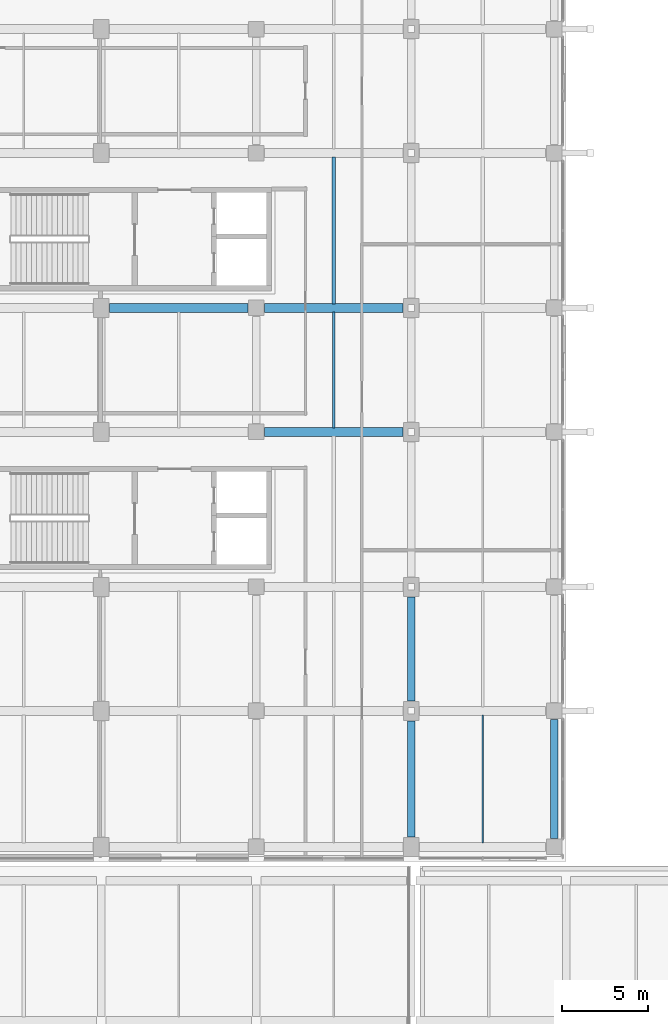
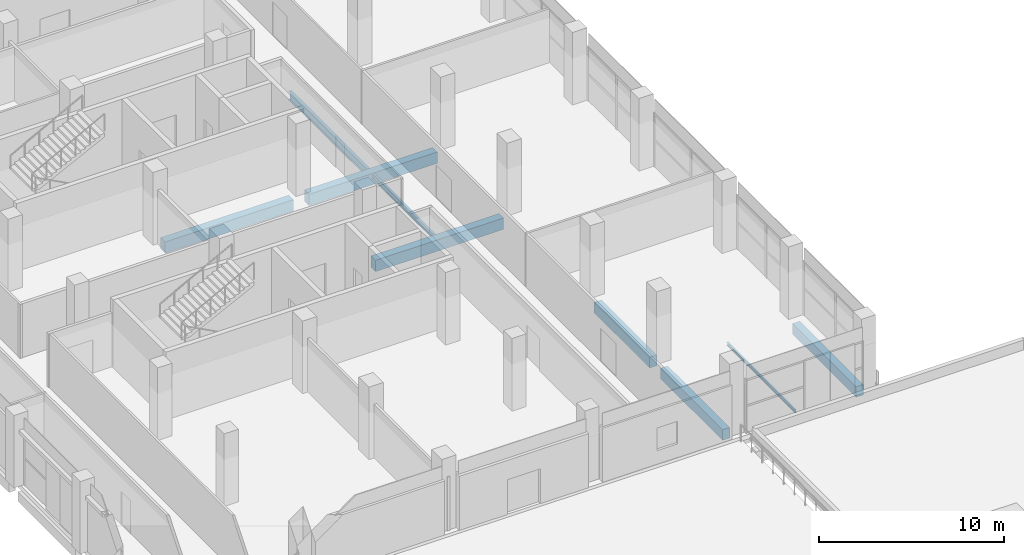
# One storey, part 10 of 82: 9 beams.
"""IFC4 building model written with IfcOpenShell, lengths in metres."""

import ifcopenshell
import ifcopenshell.guid

model = None  # the IFC model being written
_history = None  # IfcOwnerHistory: only IFC2X3 demands one
_inside = {}  # id of a spatial element -> (the spatial element, [elements in it])
_under = {}  # id of a project, library or spatial element -> (it, [spatial elements below it])
_declared = {}  # id of a project -> (the project, [libraries it declares])
_typed = {}  # id of a type object -> (the type object, [elements of that type])
_made_of = {}  # id of a material, layer set ... -> (it, [elements and type objects made of it])


def new_model(schema):
    """Start an empty IFC model of exactly this schema.

    Asked for "IFC4X3", IfcOpenShell would pick the latest addendum, in which some entities
    have other attributes; the version numbers below select the first issue.
    IFC2X3 requires an IfcOwnerHistory on every rooted entity: one is made here for all.
    """
    global model, _history
    if schema == "IFC4X3":
        model = ifcopenshell.file(schema_version=(4, 3, 0, 0))
    else:
        model = ifcopenshell.file(schema=schema)
    _inside.clear()
    _under.clear()
    _declared.clear()
    _typed.clear()
    _made_of.clear()
    _history = None
    if model.schema == "IFC2X3":
        org = make("IfcOrganization", Name="unknown")
        user = make(
            "IfcPersonAndOrganization",
            ThePerson=make("IfcPerson", FamilyName="unknown"),
            TheOrganization=org,
        )
        app = make(
            "IfcApplication",
            ApplicationDeveloper=org,
            Version="unknown",
            ApplicationFullName="unknown",
            ApplicationIdentifier="unknown",
        )
        _history = make(
            "IfcOwnerHistory",
            OwningUser=user,
            OwningApplication=app,
            ChangeAction="ADDED",
            CreationDate=0,
        )
    return model


def make(cls, **values):
    """One entity of the class cls with the attributes given. An attribute that is None is left unset."""
    return model.create_entity(
        cls, **{name: value for name, value in values.items() if value is not None}
    )


def rooted(cls, **values):
    """An entity with a GlobalId (a new one), such as an element, a storey or a relation."""
    return make(cls, GlobalId=ifcopenshell.guid.new(), OwnerHistory=_history, **values)


def si_unit(unit_type, name, prefix=None):
    """IfcSIUnit, for example si_unit("LENGTHUNIT", "METRE", prefix="MILLI")."""
    return make("IfcSIUnit", UnitType=unit_type, Prefix=prefix, Name=name)


def assignment(units):
    """IfcUnitAssignment: the units of a project."""
    return None if units is None else make("IfcUnitAssignment", Units=units)


def point(xyz):
    """IfcCartesianPoint."""
    return None if xyz is None else make("IfcCartesianPoint", Coordinates=xyz)


def direction(xyz):
    """IfcDirection."""
    return None if xyz is None else make("IfcDirection", DirectionRatios=xyz)


def frame(location, z_axis=None, x_axis=None):
    """IfcAxis2Placement3D, a coordinate frame: its origin and axes. An axis left out is left unset."""
    return make(
        "IfcAxis2Placement3D",
        Location=point(location),
        Axis=direction(z_axis),
        RefDirection=direction(x_axis),
    )


def frame_2d(location, x_axis=None):
    """IfcAxis2Placement2D, a coordinate frame in the plane: its origin and x axis."""
    return make(
        "IfcAxis2Placement2D", Location=point(location), RefDirection=direction(x_axis)
    )


def origin():
    """The frame at (0, 0, 0) with its axes left unset."""
    return frame((0.0, 0.0, 0.0))


def origin_2d():
    """The frame at (0, 0) in the plane with its x axis left unset."""
    return frame_2d((0.0, 0.0))


def place(relative_to, where):
    """IfcLocalPlacement: puts the frame where relative to a parent placement (None: the world)."""
    return make(
        "IfcLocalPlacement", PlacementRelTo=relative_to, RelativePlacement=where
    )


def context(
    kind, dimensions, precision=None, world=None, true_north=None, identifier=None
):
    """IfcGeometricRepresentationContext, for example the 3D "Model" context."""
    return make(
        "IfcGeometricRepresentationContext",
        ContextIdentifier=identifier,
        ContextType=kind,
        CoordinateSpaceDimension=dimensions,
        Precision=precision,
        WorldCoordinateSystem=world,
        TrueNorth=true_north,
    )


def subcontext(parent, identifier, kind, view, scale=None):
    """IfcGeometricRepresentationSubContext, for example "Body" below "Model"."""
    return make(
        "IfcGeometricRepresentationSubContext",
        ContextIdentifier=identifier,
        ContextType=kind,
        ParentContext=parent,
        TargetScale=scale,
        TargetView=view,
    )


def project(units=None, contexts=None):
    """IfcProject with its units and contexts."""
    return rooted(
        "IfcProject",
        Name="project",
        RepresentationContexts=contexts,
        UnitsInContext=assignment(units),
    )


def spatial(cls, under=None, at=None, **own):
    """A site, building, storey or space (cls), placed at a placement, below another one or the project."""
    s = rooted(cls, ObjectPlacement=at, **own)
    if under is not None:
        _under.setdefault(under.id(), (under, []))[1].append(s)
    return s


def profile(cls, at=None, kind="AREA", **sizes):
    """A parametric profile (cls). Its sizes go by their IFC names, for example OverallWidth=200.0."""
    return make(cls, ProfileType=kind, Position=at, **sizes)


def rectangle(**sizes):
    """IfcRectangleProfileDef."""
    return profile("IfcRectangleProfileDef", **sizes)


def i_section(**sizes):
    """IfcIShapeProfileDef."""
    return profile("IfcIShapeProfileDef", **sizes)


def extrude(swept, where, along, depth):
    """IfcExtrudedAreaSolid: the profile swept, set in the frame where, extruded along a direction by depth."""
    return make(
        "IfcExtrudedAreaSolid",
        SweptArea=swept,
        Position=where,
        ExtrudedDirection=direction(along),
        Depth=depth,
    )


def shape(context_of_items, identifier, shape_type, items):
    """IfcShapeRepresentation: the items that make up one representation, for example the "Body"."""
    return make(
        "IfcShapeRepresentation",
        ContextOfItems=context_of_items,
        RepresentationIdentifier=identifier,
        RepresentationType=shape_type,
        Items=items,
    )


def material(Name=None, Category=None):
    """IfcMaterial."""
    return make("IfcMaterial", Name=Name, Category=Category)


def material_profile(
    of_material, cross_section, Name=None, Category=None, Priority=None
):
    """IfcMaterialProfile: a cross section and its material."""
    return make(
        "IfcMaterialProfile",
        Name=Name,
        Material=of_material,
        Profile=cross_section,
        Priority=Priority,
        Category=Category,
    )


def profile_set(profiles, Name=None, composite=None):
    """IfcMaterialProfileSet."""
    return make(
        "IfcMaterialProfileSet",
        Name=Name,
        MaterialProfiles=profiles,
        CompositeProfile=composite,
    )


def made_of(thing, what):
    """Note that an element or type object is made of a material, layer set ...; save() writes the relation."""
    if what is not None:
        _made_of.setdefault(what.id(), (what, []))[1].append(thing)
    return thing


def type_object(cls, material=None, **own):
    """A type object (cls), such as IfcWallType, which elements share."""
    return made_of(rooted(cls, **own), material)


def element(
    cls,
    number,
    at=None,
    inside=None,
    cuts=None,
    type_object=None,
    material=None,
    context=None,
    identifier="Body",
    shape_type=None,
    held_by="IfcProductDefinitionShape",
    body=None,
    shapes=None,
    **own,
):
    """One element of the class cls, such as IfcWall. Its Tag is "e" and its number.

    at: its placement. inside: the storey or other place that contains it. cuts: it is an
    opening in that element (IfcRelVoidsElement). A single representation is given by context,
    identifier, shape_type and body (its items); several are given by shapes. held_by: the class
    of the entity that holds the representations. save() writes the other relations.
    """
    e = rooted(cls, Tag="e%d" % number, ObjectPlacement=at, **own)
    if body is not None:
        shapes = [shape(context, identifier, shape_type, body)]
    if shapes is not None:
        e.Representation = make(held_by, Representations=shapes)
    if inside is not None:
        _inside.setdefault(inside.id(), (inside, []))[1].append(e)
    if cuts is not None:
        rooted(
            "IfcRelVoidsElement", RelatingBuildingElement=cuts, RelatedOpeningElement=e
        )
    if type_object is not None:
        _typed.setdefault(type_object.id(), (type_object, []))[1].append(e)
    return made_of(e, material)


def aggregate(whole, parts):
    """IfcRelAggregates: a whole, such as a stair, and the parts it consists of."""
    return rooted("IfcRelAggregates", RelatingObject=whole, RelatedObjects=parts)


def save(model, path):
    """Write the relations noted so far, then the file.

    IfcRelAggregates (storeys below a building ...), IfcRelContainedInSpatialStructure (elements
    in a storey), IfcRelDefinesByType, IfcRelAssociatesMaterial and IfcRelDeclares: one each for
    every whole, place, type object, material and project.
    """
    for whole, parts in _under.values():
        aggregate(whole, parts)
    for where, things in _inside.values():
        rooted(
            "IfcRelContainedInSpatialStructure",
            RelatedElements=things,
            RelatingStructure=where,
        )
    for kind, things in _typed.values():
        rooted("IfcRelDefinesByType", RelatedObjects=things, RelatingType=kind)
    for what, things in _made_of.values():
        rooted("IfcRelAssociatesMaterial", RelatedObjects=things, RelatingMaterial=what)
    for by, libraries in _declared.values():
        rooted("IfcRelDeclares", RelatingContext=by, RelatedDefinitions=libraries)
    model.write(path)


model = new_model("IFC4")

# Units and contexts
model_context = context("Model", 3, precision=1e-05, world=origin(), true_north=direction((0.0, 1.0)))
body_context = subcontext(model_context, "Body", "Model", "MODEL_VIEW")
ifc_project = project(units=[si_unit("LENGTHUNIT", "METRE"), si_unit("AREAUNIT", "SQUARE_METRE"), si_unit("VOLUMEUNIT", "CUBIC_METRE"), si_unit("PLANEANGLEUNIT", "RADIAN"), si_unit("MASSUNIT", "GRAM", prefix="KILO"), si_unit("THERMODYNAMICTEMPERATUREUNIT", "KELVIN"), si_unit("POWERUNIT", "WATT")], contexts=[model_context])

# Site, building, storey
site_placement = place(None, origin())
site = spatial("IfcSite", under=ifc_project, at=site_placement, CompositionType="ELEMENT")
building_placement = place(site_placement, origin())
building = spatial("IfcBuilding", under=site, at=building_placement, Name="Sindhuravela Promenade Stadium", CompositionType="ELEMENT")
storey_placement = place(building_placement, frame((0.0, 0.0, 14.39990234375)))
storey = spatial("IfcBuildingStorey", under=building, at=storey_placement, Name="L03", CompositionType="ELEMENT", Elevation=14.39990234375)

# Beams
ifc_material_1 = material(Name="Concrete M40", Category="concrete")
ifc_material_profile_1 = material_profile(ifc_material_1, rectangle(XDim=0.449951171875, YDim=0.699951171875, at=origin_2d()), Name="RC 450x700")
ifc_profile_set_1 = profile_set([ifc_material_profile_1], Name="Concrete M40")
beam_type_1 = type_object("IfcBeamType", Name="RC-BM-450x700", PredefinedType="BEAM", material=ifc_profile_set_1)
beam_1_placement = place(storey_placement, frame((36.0, 37.68994140625, -0.64990234375), z_axis=(0.0, 1.0, 0.0), x_axis=(-1.0, 0.0, 0.0)))
element("IfcBeam", 1, at=beam_1_placement, inside=storey, type_object=beam_type_1, Name="Primary beam GB07 WEST L03", PredefinedType="BEAM", context=body_context, shape_type="SweptSolid", body=[
    extrude(rectangle(XDim=0.449951171875, YDim=0.699951171875, at=origin_2d()), origin(), (0.0, 0.0, 1.0), 6.719970703125),
])
beam_2_placement = place(storey_placement, frame((36.0, 45.590087890625, -0.64990234375), z_axis=(0.0, 1.0, 0.0), x_axis=(-1.0, 0.0, 0.0)))
element("IfcBeam", 2, at=beam_2_placement, inside=storey, type_object=beam_type_1, Name="Primary beam GB07 WEST L03", PredefinedType="BEAM", context=body_context, shape_type="SweptSolid", body=[
    extrude(rectangle(XDim=0.449951171875, YDim=0.699951171875, at=origin_2d()), origin(), (0.0, 0.0, 1.0), 6.02001953125),
])
beam_3_placement = place(storey_placement, frame((44.300048828125, 37.590087890625, -0.64990234375), z_axis=(0.0, 1.0, 0.0), x_axis=(-1.0, 0.0, 0.0)))
element("IfcBeam", 3, at=beam_3_placement, inside=storey, type_object=beam_type_1, Name="Primary beam GB07 WEST L03", PredefinedType="BEAM", context=body_context, shape_type="SweptSolid", body=[
    extrude(rectangle(XDim=0.449951171875, YDim=0.699951171875, at=origin_2d()), origin(), (0.0, 0.0, 1.0), 6.919921875),
])
ifc_material_profile_2 = material_profile(ifc_material_1, rectangle(XDim=0.5, YDim=0.75, at=origin_2d()), Name="RC 500x750")
ifc_profile_set_2 = profile_set([ifc_material_profile_2], Name="Concrete M40")
beam_type_2 = type_object("IfcBeamType", Name="RC-BM-500x750", PredefinedType="BEAM", material=ifc_profile_set_2)
for number, where, z_axis, x_axis, name in (
    (4, (27.489990234375, 61.199951171875, -0.6748046875), (1.0, 0.0, 0.0), (0.0, 1.0, 0.0), "Primary girder GB06 WEST L03"),
    (5, (18.489990234375, 68.39990234375, -0.6748046875), (1.0, 0.0, 0.0), (0.0, 1.0, 0.0), "Primary girder GB06 WEST L03"),
    (6, (27.489990234375, 68.39990234375, -0.6748046875), (1.0, 0.0, 0.0), (0.0, 1.0, 0.0), "Primary girder GB06 WEST L03"),
):
    element("IfcBeam", number, at=place(storey_placement, frame(where, z_axis=z_axis, x_axis=x_axis)), inside=storey, type_object=beam_type_2, Name=name, PredefinedType="BEAM", context=body_context, shape_type="SweptSolid", body=[
        extrude(rectangle(XDim=0.5, YDim=0.75, at=origin_2d()), origin(), (0.0, 0.0, 1.0), 8.02001953125),
    ])
ifc_material_2 = material(Name="Steel E350 (IS 2062 E350BR)", Category="steel")
ifc_material_profile_3 = material_profile(ifc_material_2, i_section(OverallWidth=0.10009765625, OverallDepth=0.199951171875, WebThickness=0.005615234375, FlangeThickness=0.0107421875, FilletRadius=0.010986328125, at=origin_2d()), Name="ISMB 200")
ifc_profile_set_3 = profile_set([ifc_material_profile_3], Name="Steel E350 (IS 2062 E350BR)")
beam_type_3 = type_object("IfcBeamType", Name="ST-BM-MB200", PredefinedType="JOIST", material=ifc_profile_set_3)
beam_4_placement = place(storey_placement, frame((40.14990234375, 37.340087890625, -0.39990234375), z_axis=(0.0, 1.0, 0.0), x_axis=(-1.0, 0.0, 0.0)))
element("IfcBeam", 7, at=beam_4_placement, inside=storey, type_object=beam_type_3, Name="Secondary floor joist SB01 WEST L03", PredefinedType="JOIST", context=body_context, shape_type="SweptSolid", body=[
    extrude(i_section(OverallWidth=0.10009765625, OverallDepth=0.199951171875, WebThickness=0.005615234375, FlangeThickness=0.0107421875, FilletRadius=0.010986328125, at=origin_2d()), origin(), (0.0, 0.0, 1.0), 7.419921875),
])
ifc_material_profile_4 = material_profile(ifc_material_2, i_section(OverallWidth=0.139892578125, OverallDepth=0.35009765625, WebThickness=0.008056640625, FlangeThickness=0.01416015625, FilletRadius=0.013916015625, at=origin_2d()), Name="ISMB 350")
ifc_profile_set_4 = profile_set([ifc_material_profile_4], Name="Steel E350 (IS 2062 E350BR)")
beam_type_4 = type_object("IfcBeamType", Name="ST-BM-MB350", PredefinedType="JOIST", material=ifc_profile_set_4)
beam_5_placement = place(storey_placement, frame((31.5, 61.43994140625, -0.474853515625), z_axis=(0.0, 1.0, 0.0), x_axis=(-1.0, 0.0, 0.0)))
element("IfcBeam", 8, at=beam_5_placement, inside=storey, type_object=beam_type_4, Name="Secondary floor joist SB04 WEST L03", PredefinedType="JOIST", context=body_context, shape_type="SweptSolid", body=[
    extrude(i_section(OverallWidth=0.139892578125, OverallDepth=0.35009765625, WebThickness=0.008056640625, FlangeThickness=0.01416015625, FilletRadius=0.013916015625, at=origin_2d()), origin(), (0.0, 0.0, 1.0), 6.719970703125),
])
ifc_material_profile_5 = material_profile(ifc_material_2, i_section(OverallWidth=0.18994140625, OverallDepth=0.550048828125, WebThickness=0.01123046875, FlangeThickness=0.019287109375, FilletRadius=0.01806640625, at=origin_2d()), Name="ISMB 550")
ifc_profile_set_5 = profile_set([ifc_material_profile_5], Name="Steel E350 (IS 2062 E350BR)")
beam_type_5 = type_object("IfcBeamType", Name="ST-BM-MB550", PredefinedType="SPANDREL", material=ifc_profile_set_5)
beam_6_placement = place(storey_placement, frame((31.5, 68.639892578125, -0.574951171875), z_axis=(0.0, 1.0, 0.0), x_axis=(-1.0, 0.0, 0.0)))
element("IfcBeam", 9, at=beam_6_placement, inside=storey, type_object=beam_type_5, Name="Secondary floor joist SB08 WEST L03", PredefinedType="SPANDREL", context=body_context, shape_type="SweptSolid", body=[
    extrude(i_section(OverallWidth=0.18994140625, OverallDepth=0.550048828125, WebThickness=0.01123046875, FlangeThickness=0.019287109375, FilletRadius=0.01806640625, at=origin_2d()), origin(), (0.0, 0.0, 1.0), 8.52001953125),
])

save(model, "model.ifc")
